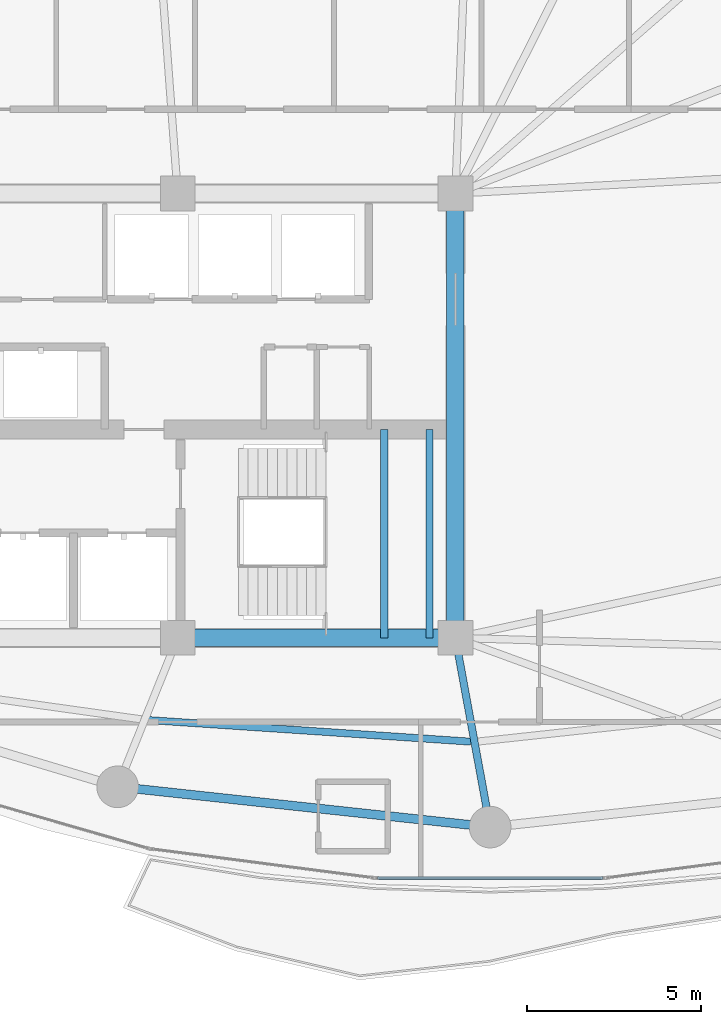
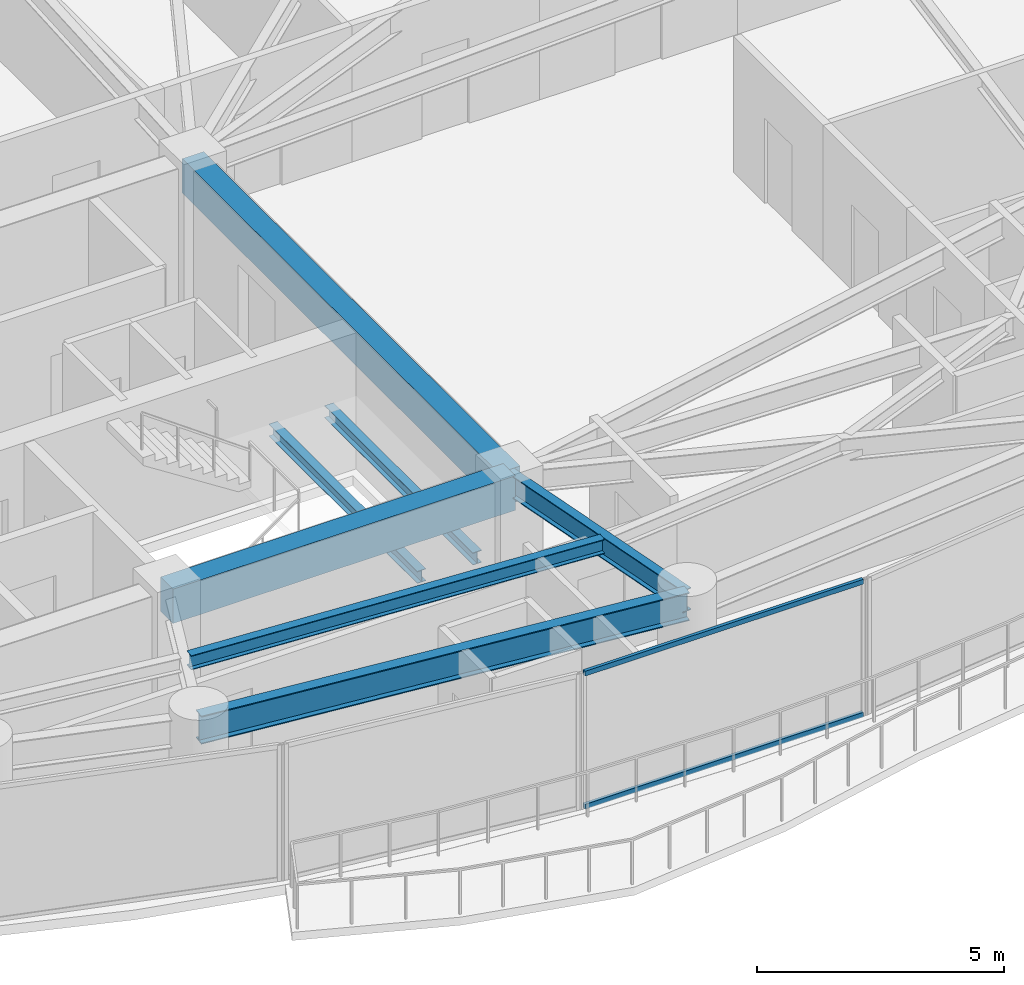
# One storey, part 6 of 31: 7 beams, 2 members, 1 element without a shape of its own.
"""IFC4 building model written with IfcOpenShell, lengths in metres."""

from ifc_helpers import new_model, si_unit, direction, frame, origin, origin_2d, place, context, subcontext, project, spatial, rectangle, hollow_rectangle, i_section, extrude, material, layer, layer_set, material_profile, profile_set, type_object, element, aggregate, save


model = new_model("IFC4")

# Units and contexts
model_context = context("Model", 3, precision=1e-05, world=origin(), true_north=direction((0.0, 1.0)))
body_context = subcontext(model_context, "Body", "Model", "MODEL_VIEW")
ifc_project = project(units=[si_unit("LENGTHUNIT", "METRE"), si_unit("AREAUNIT", "SQUARE_METRE"), si_unit("VOLUMEUNIT", "CUBIC_METRE"), si_unit("PLANEANGLEUNIT", "RADIAN"), si_unit("MASSUNIT", "GRAM", prefix="KILO")], contexts=[model_context])

# Site, building, storey
site_placement = place(None, origin())
site = spatial("IfcSite", under=ifc_project, at=site_placement, CompositionType="ELEMENT")
building_placement = place(site_placement, origin())
building = spatial("IfcBuilding", under=site, at=building_placement, Name="Kazevale Care Tower and Concert Hall", CompositionType="ELEMENT")
storey_placement = place(building_placement, frame((0.0, 0.0, 117.0)))
storey = spatial("IfcBuildingStorey", under=building, at=storey_placement, Name="L30", CompositionType="ELEMENT", Elevation=117.0)

# Curtain wall, members
ifc_material_1 = material(Name="Aluminium 6063-T6 and Low-E Glass", Category="aluminium")
ifc_layer = layer(ifc_material_1, 0.179931640625)
ifc_layer_set = layer_set([ifc_layer], Name="Aluminium 6063-T6 and Low-E Glass")
curtain_wall_type = type_object("IfcCurtainWallType", Name="Sheltered Concave Balcony Curtain Wall CW-5", PredefinedType="NOTDEFINED", material=ifc_layer_set)
curtain_wall_placement = place(storey_placement, origin())
curtain_wall = element("IfcCurtainWall", 1, at=curtain_wall_placement, inside=storey, type_object=curtain_wall_type, Name="cw:L30:f06", PredefinedType="NOTDEFINED")
ifc_material_2 = material(Name="Aluminium 6063-T6", Category="aluminium")
ifc_material_profile_1 = material_profile(ifc_material_2, hollow_rectangle(XDim=0.074951171875, YDim=0.1201171875, WallThickness=0.00390625, at=origin_2d()), Name="ALU75x120x4")
ifc_profile_set_1 = profile_set([ifc_material_profile_1], Name="Aluminium 6063-T6")
member_type = type_object("IfcMemberType", Name="CW-5 Transom ALU75x120x4", PredefinedType="USERDEFINED", material=ifc_profile_set_1)
member_1_placement = place(storey_placement, frame((48.25, 16.68408203125, 0.03759765625), z_axis=(-1.0, 0.0, 0.0), x_axis=(0.0, -1.0, 0.0)))
member_1 = element("IfcMember", 2, at=member_1_placement, type_object=member_type, Name="CW-5 transom 1.1", ObjectType="TRANSOM", PredefinedType="USERDEFINED", context=body_context, shape_type="SweptSolid", body=[
    extrude(hollow_rectangle(XDim=0.074951171875, YDim=0.1201171875, WallThickness=0.00390625, at=origin_2d()), origin(), (0.0, 0.0, 1.0), 6.5),
])
member_2_placement = place(storey_placement, frame((48.25, 16.68408203125, 3.322509765625), z_axis=(-1.0, 0.0, 0.0), x_axis=(0.0, -1.0, 0.0)))
member_2 = element("IfcMember", 3, at=member_2_placement, type_object=member_type, Name="CW-5 transom 1.2", ObjectType="TRANSOM", PredefinedType="USERDEFINED", context=body_context, shape_type="SweptSolid", body=[
    extrude(hollow_rectangle(XDim=0.074951171875, YDim=0.1201171875, WallThickness=0.00390625, at=origin_2d()), origin(), (0.0, 0.0, 1.0), 6.5),
])
aggregate(curtain_wall, [member_1, member_2])

# Beams
ifc_material_3 = material(Name="Concrete C60", Category="concrete")
ifc_material_profile_2 = material_profile(ifc_material_3, rectangle(XDim=0.5, YDim=0.85009765625, at=origin_2d()), Name="RC-B500x850")
ifc_profile_set_2 = profile_set([ifc_material_profile_2], Name="Concrete C60")
beam_type_1 = type_object("IfcBeamType", Name="Core Coupling Beam RC500x850", PredefinedType="LINTEL", material=ifc_profile_set_2)
beam_1_placement = place(storey_placement, frame((36.0, 23.60009765625, 2.93505859375), z_axis=(1.0, 0.0, 0.0), x_axis=(0.0, 1.0, 0.0)))
element("IfcBeam", 4, at=beam_1_placement, inside=storey, type_object=beam_type_1, Name="beam:L30:coretie:3", PredefinedType="LINTEL", context=body_context, shape_type="SweptSolid", body=[
    extrude(rectangle(XDim=0.5, YDim=0.85009765625, at=origin_2d()), origin(), (0.0, 0.0, 1.0), 8.0),
])
beam_2_placement = place(storey_placement, frame((44.0, 23.60009765625, 2.93505859375), z_axis=(0.0, 1.0, 0.0), x_axis=(-1.0, 0.0, 0.0)))
element("IfcBeam", 5, at=beam_2_placement, inside=storey, type_object=beam_type_1, Name="beam:L30:coretie:4", PredefinedType="LINTEL", context=body_context, shape_type="SweptSolid", body=[
    extrude(rectangle(XDim=0.5, YDim=0.85009765625, at=origin_2d()), origin(), (0.0, 0.0, 1.0), 12.7998046875),
])
ifc_material_4 = material(Name="Steel ASTM A572 Gr 50", Category="steel")
ifc_material_profile_3 = material_profile(ifc_material_4, i_section(OverallWidth=0.2119140625, OverallDepth=0.5439453125, WebThickness=0.01318359375, FlangeThickness=0.021240234375, at=origin_2d()), Name="W530x123")
ifc_profile_set_3 = profile_set([ifc_material_profile_3], Name="Steel ASTM A572 Gr 50")
beam_type_2 = type_object("IfcBeamType", Name="Radial Floor Girder W530x123", PredefinedType="BEAM", material=ifc_profile_set_3)
beam_3_placement = place(storey_placement, frame((44.0, 23.60009765625, 3.087890625), z_axis=(0.180467114023, -0.983581018908, 0.0), x_axis=(0.983581018908, 0.180467114023, 0.0)))
element("IfcBeam", 6, at=beam_3_placement, inside=storey, type_object=beam_type_2, Name="beam:L30:rad:13", PredefinedType="BEAM", context=body_context, shape_type="SweptSolid", body=[
    extrude(i_section(OverallWidth=0.2119140625, OverallDepth=0.5439453125, WebThickness=0.01318359375, FlangeThickness=0.021240234375, at=origin_2d()), origin(), (0.0, 0.0, 1.0), 5.541259765625),
])
ifc_material_profile_4 = material_profile(ifc_material_4, i_section(OverallWidth=0.205078125, OverallDepth=0.35400390625, WebThickness=0.009521484375, FlangeThickness=0.016845703125, at=origin_2d()), Name="W360x79")
ifc_profile_set_4 = profile_set([ifc_material_profile_4], Name="Steel ASTM A572 Gr 50")
beam_type_3 = type_object("IfcBeamType", Name="Secondary Floor Joist W360x79", PredefinedType="JOIST", material=ifc_profile_set_4)
beam_4_placement = place(storey_placement, frame((35.153076171875, 21.23291015625, 3.18310546875), z_axis=(0.997761314569, -0.06687569925, 0.0), x_axis=(0.06687569925, 0.997761314569, 0.0)))
element("IfcBeam", 7, at=beam_4_placement, inside=storey, type_object=beam_type_3, Name="beam:L30:joist:12", PredefinedType="JOIST", context=body_context, shape_type="SweptSolid", body=[
    extrude(i_section(OverallWidth=0.205078125, OverallDepth=0.35400390625, WebThickness=0.009521484375, FlangeThickness=0.016845703125, at=origin_2d()), origin(), (0.0, 0.0, 1.0), 9.312744140625),
])
ifc_material_profile_5 = material_profile(ifc_material_4, i_section(OverallWidth=0.202880859375, OverallDepth=0.302978515625, WebThickness=0.007568359375, FlangeThickness=0.01318359375, at=origin_2d()), Name="W310x60")
ifc_profile_set_5 = profile_set([ifc_material_profile_5], Name="Steel ASTM A572 Gr 50")
beam_type_4 = type_object("IfcBeamType", Name="Stair & Balcony Trimmer W310x60", PredefinedType="BEAM", material=ifc_profile_set_5)
for number, where, z_axis, x_axis, name in (
    (8, (41.949951171875, 23.60009765625, 1.448486328125), (0.0, 1.0, 0.0), (-1.0, 0.0, 0.0), "beam:L30:sttrim:ST2"),
    (9, (43.25, 23.60009765625, 1.448486328125), (0.0, 1.0, 0.0), (-1.0, 0.0, 0.0), "beam:L30:sttrim:ST2b"),
):
    element("IfcBeam", number, at=place(storey_placement, frame(where, z_axis=z_axis, x_axis=x_axis)), inside=storey, type_object=beam_type_4, Name=name, PredefinedType="BEAM", context=body_context, shape_type="SweptSolid", body=[
        extrude(i_section(OverallWidth=0.202880859375, OverallDepth=0.302978515625, WebThickness=0.007568359375, FlangeThickness=0.01318359375, at=origin_2d()), origin(), (0.0, 0.0, 1.0), 6.0),
    ])
ifc_material_profile_6 = material_profile(ifc_material_4, i_section(OverallWidth=0.256103515625, OverallDepth=0.693115234375, WebThickness=0.014404296875, FlangeThickness=0.023681640625, at=origin_2d()), Name="W690x170")
ifc_profile_set_6 = profile_set([ifc_material_profile_6], Name="Steel ASTM A572 Gr 50")
beam_type_5 = type_object("IfcBeamType", Name="Waist Ring Beam W690x170", PredefinedType="BEAM", material=ifc_profile_set_6)
beam_5_placement = place(storey_placement, frame((34.27001953125, 19.31005859375, 3.013427734375), z_axis=(0.994205479487, -0.107496346724, 0.0), x_axis=(0.107496346724, 0.994205479487, 0.0)))
element("IfcBeam", 10, at=beam_5_placement, inside=storey, type_object=beam_type_5, Name="beam:L30:ring:12", PredefinedType="BEAM", context=body_context, shape_type="SweptSolid", body=[
    extrude(i_section(OverallWidth=0.256103515625, OverallDepth=0.693115234375, WebThickness=0.014404296875, FlangeThickness=0.023681640625, at=origin_2d()), origin(), (0.0, 0.0, 1.0), 10.79248046875),
])

save(model, "model.ifc")
